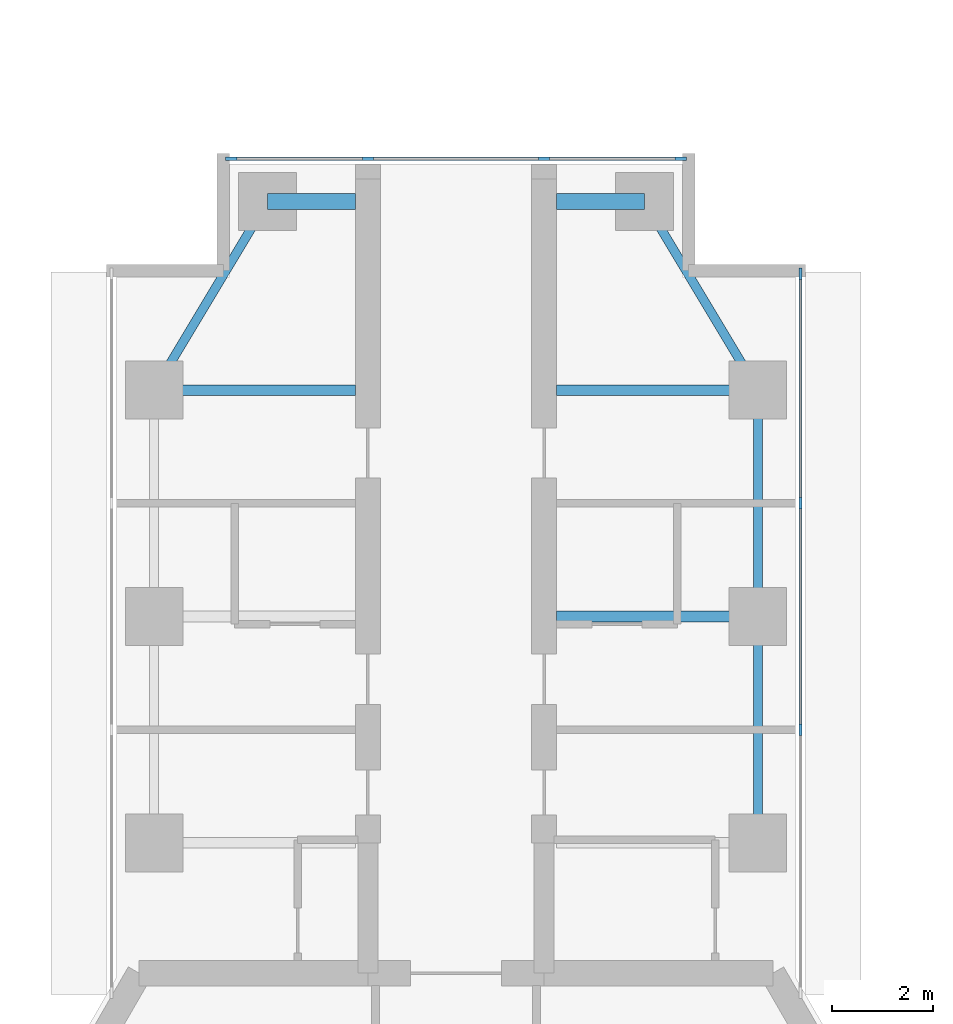
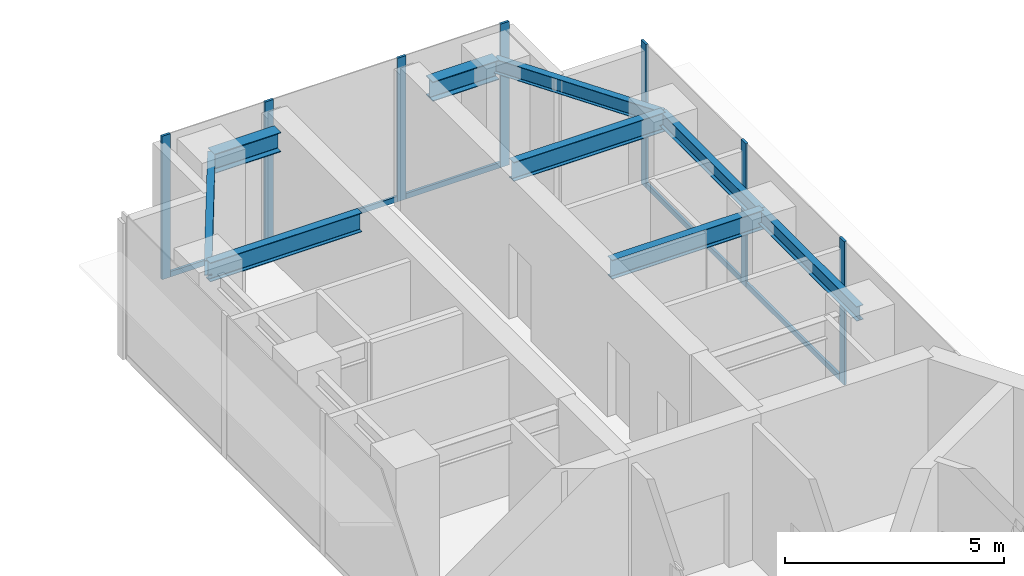
# One storey, part 9 of 17: 12 members, 9 beams, 2 elements without a shape of their own.
"""IFC4 building model written with IfcOpenShell, lengths in metres."""

from ifc_helpers import new_model, si_unit, direction, frame, origin, origin_2d, place, context, subcontext, project, spatial, rectangle, i_section, extrude, material, material_profile, profile_set, type_object, element, aggregate, save


model = new_model("IFC4")

# Units and contexts
model_context = context("Model", 3, precision=1e-05, world=origin(), true_north=direction((0.0, 1.0)))
body_context = subcontext(model_context, "Body", "Model", "MODEL_VIEW")
ifc_project = project(units=[si_unit("LENGTHUNIT", "METRE"), si_unit("AREAUNIT", "SQUARE_METRE"), si_unit("VOLUMEUNIT", "CUBIC_METRE"), si_unit("PLANEANGLEUNIT", "RADIAN"), si_unit("MASSUNIT", "GRAM", prefix="KILO")], contexts=[model_context])

# Site, building, storey
site_placement = place(None, origin())
site = spatial("IfcSite", under=ifc_project, at=site_placement, CompositionType="ELEMENT")
building_placement = place(site_placement, origin())
building = spatial("IfcBuilding", under=site, at=building_placement, Name="Upepo Twin Towers", CompositionType="ELEMENT")
storey_placement = place(building_placement, frame((0.0, 0.0, 202.5)))
storey = spatial("IfcBuildingStorey", under=building, at=storey_placement, Name="L49", CompositionType="ELEMENT", Elevation=202.5)

# Beams
ifc_material_1 = material(Name="Steel S355", Category="steel")
ifc_material_profile_1 = material_profile(ifc_material_1, i_section(OverallWidth=0.177978515625, OverallDepth=0.406494140625, WebThickness=0.0078125, FlangeThickness=0.0126953125, FilletRadius=0.01025390625, at=origin_2d()), Name="UB 406x178x60")
ifc_profile_set_1 = profile_set([ifc_material_profile_1], Name="Steel S355")
beam_type_1 = type_object("IfcBeamType", Name="Beam UB 406x178x60", PredefinedType="BEAM", material=ifc_profile_set_1)
beam_1_placement = place(storey_placement, frame((52.5, 4.5, 3.5966796875), z_axis=(0.514495755428, 0.857492925713, 0.0), x_axis=(-0.857492925713, 0.514495755428, 0.0)))
element("IfcBeam", 1, at=beam_1_placement, inside=storey, type_object=beam_type_1, Name="T2 nose edge beam AL", PredefinedType="BEAM", context=body_context, shape_type="SweptSolid", body=[
    extrude(i_section(OverallWidth=0.177978515625, OverallDepth=0.406494140625, WebThickness=0.0078125, FlangeThickness=0.0126953125, FilletRadius=0.01025390625, at=origin_2d()), origin(), (0.0, 0.0, 1.0), 4.373291015625),
])
for number, where, z_axis, x_axis, name in (
    (2, (64.5, -4.5, 3.5966796875), (0.0, 1.0, 0.0), (-1.0, 0.0, 0.0), "T2 edge beam AR 13.5-18.0"),
    (3, (64.5, 0.0, 3.5966796875), (0.0, 1.0, 0.0), (-1.0, 0.0, 0.0), "T2 edge beam AR 18.0-22.5"),
):
    element("IfcBeam", number, at=place(storey_placement, frame(where, z_axis=z_axis, x_axis=x_axis)), inside=storey, type_object=beam_type_1, Name=name, PredefinedType="BEAM", context=body_context, shape_type="SweptSolid", body=[
        extrude(i_section(OverallWidth=0.177978515625, OverallDepth=0.406494140625, WebThickness=0.0078125, FlangeThickness=0.0126953125, FilletRadius=0.01025390625, at=origin_2d()), origin(), (0.0, 0.0, 1.0), 4.5),
    ])
beam_2_placement = place(storey_placement, frame((64.5, 4.5, 3.5966796875), z_axis=(-0.514495755428, 0.857492925713, 0.0), x_axis=(-0.857492925713, -0.514495755428, 0.0)))
element("IfcBeam", 4, at=beam_2_placement, inside=storey, type_object=beam_type_1, Name="T2 nose edge beam AR", PredefinedType="BEAM", context=body_context, shape_type="SweptSolid", body=[
    extrude(i_section(OverallWidth=0.177978515625, OverallDepth=0.406494140625, WebThickness=0.0078125, FlangeThickness=0.0126953125, FilletRadius=0.01025390625, at=origin_2d()), origin(), (0.0, 0.0, 1.0), 4.373291015625),
])
ifc_material_2 = material(Name="Steel S355", Category="steel")
ifc_material_profile_2 = material_profile(ifc_material_2, i_section(OverallWidth=0.209228515625, OverallDepth=0.533203125, WebThickness=0.010009765625, FlangeThickness=0.015625, FilletRadius=0.0126953125, at=origin_2d()), Name="UB 533x210x92")
ifc_profile_set_2 = profile_set([ifc_material_profile_2], Name="Steel S355")
beam_type_2 = type_object("IfcBeamType", Name="Beam UB 533x210x92", PredefinedType="BEAM", material=ifc_profile_set_2)
for number, where, z_axis, x_axis, name in (
    (5, (52.5, 4.5, 3.533447265625), (1.0, 0.0, 0.0), (0.0, 1.0, 0.0), "T2 girder AL at 22.5"),
    (6, (64.5, 0.0, 3.533447265625), (-1.0, 0.0, 0.0), (0.0, -1.0, 0.0), "T2 girder AR at 18.0"),
    (7, (64.5, 4.5, 3.533447265625), (-1.0, 0.0, 0.0), (0.0, -1.0, 0.0), "T2 girder AR at 22.5"),
):
    element("IfcBeam", number, at=place(storey_placement, frame(where, z_axis=z_axis, x_axis=x_axis)), inside=storey, type_object=beam_type_2, Name=name, PredefinedType="BEAM", context=body_context, shape_type="SweptSolid", body=[
        extrude(i_section(OverallWidth=0.209228515625, OverallDepth=0.533203125, WebThickness=0.010009765625, FlangeThickness=0.015625, FilletRadius=0.0126953125, at=origin_2d()), origin(), (0.0, 0.0, 1.0), 4.0),
    ])
ifc_material_3 = material(Name="Steel S355", Category="steel")
ifc_material_profile_3 = material_profile(ifc_material_3, i_section(OverallWidth=0.31201171875, OverallDepth=0.54345703125, WebThickness=0.0126953125, FlangeThickness=0.020263671875, FilletRadius=0.0126953125, at=origin_2d()), Name="UB 533x312x150")
ifc_profile_set_3 = profile_set([ifc_material_profile_3], Name="Steel S355")
beam_type_3 = type_object("IfcBeamType", Name="Beam UB 533x312x150", PredefinedType="BEAM", material=ifc_profile_set_3)
for number, where, z_axis, x_axis, name in (
    (8, (54.75, 8.25, 3.5283203125), (1.0, 0.0, 0.0), (0.0, 1.0, 0.0), "T2 nose beam AL"),
    (9, (62.25, 8.25, 3.5283203125), (-1.0, 0.0, 0.0), (0.0, -1.0, 0.0), "T2 nose beam AR"),
):
    element("IfcBeam", number, at=place(storey_placement, frame(where, z_axis=z_axis, x_axis=x_axis)), inside=storey, type_object=beam_type_3, Name=name, PredefinedType="BEAM", context=body_context, shape_type="SweptSolid", body=[
        extrude(i_section(OverallWidth=0.31201171875, OverallDepth=0.54345703125, WebThickness=0.0126953125, FlangeThickness=0.020263671875, FilletRadius=0.0126953125, at=origin_2d()), origin(), (0.0, 0.0, 1.0), 1.75),
    ])

# Curtain wall, members
ifc_material_4 = material(Name="Aluminium and fritted glass", Category="aluminium")
curtain_wall_type = type_object("IfcCurtainWallType", Name="Tower curtain wall TW3, fritted glass", PredefinedType="NOTDEFINED", material=ifc_material_4)
curtain_wall_1_placement = place(storey_placement, origin())
curtain_wall_1 = element("IfcCurtainWall", 10, at=curtain_wall_1_placement, inside=storey, type_object=curtain_wall_type, Name="T2 L49 wing A flank R curtain wall", PredefinedType="NOTDEFINED")
ifc_material_5 = material(Name="Aluminium mullion", Category="aluminium")
ifc_material_profile_4 = material_profile(ifc_material_5, rectangle(XDim=0.06494140625, YDim=0.22509765625, at=origin_2d()), Name="MULLION 65x225")
ifc_profile_set_4 = profile_set([ifc_material_profile_4], Name="Aluminium mullion")
member_type_1 = type_object("IfcMemberType", Name="Mullion 65x225 TW3", PredefinedType="MULLION", material=ifc_profile_set_4)
member_1_placement = place(storey_placement, frame((65.35009765625, 6.8173828125, 0.0), z_axis=(0.0, 0.0, 1.0), x_axis=(1.0, 0.0, 0.0)))
member_1 = element("IfcMember", 11, at=member_1_placement, type_object=member_type_1, Name="T2 L49 wing A flank R curtain wall mullion 1", PredefinedType="MULLION", context=body_context, shape_type="SweptSolid", body=[
    extrude(rectangle(XDim=0.06494140625, YDim=0.22509765625, at=origin_2d()), origin(), (0.0, 0.0, 1.0), 4.0),
])
member_2_placement = place(storey_placement, frame((65.35009765625, 2.25, 0.0), z_axis=(0.0, 0.0, 1.0), x_axis=(1.0, 0.0, 0.0)))
member_2 = element("IfcMember", 12, at=member_2_placement, type_object=member_type_1, Name="T2 L49 wing A flank R curtain wall mullion 2", PredefinedType="MULLION", context=body_context, shape_type="SweptSolid", body=[
    extrude(rectangle(XDim=0.06494140625, YDim=0.22509765625, at=origin_2d()), origin(), (0.0, 0.0, 1.0), 4.0),
])
member_3_placement = place(storey_placement, frame((65.35009765625, -2.25, 0.0), z_axis=(0.0, 0.0, 1.0), x_axis=(1.0, 0.0, 0.0)))
member_3 = element("IfcMember", 13, at=member_3_placement, type_object=member_type_1, Name="T2 L49 wing A flank R curtain wall mullion 3", PredefinedType="MULLION", context=body_context, shape_type="SweptSolid", body=[
    extrude(rectangle(XDim=0.06494140625, YDim=0.22509765625, at=origin_2d()), origin(), (0.0, 0.0, 1.0), 4.0),
])

curtain_wall_2_placement = place(storey_placement, origin())
curtain_wall_2 = element("IfcCurtainWall", 14, at=curtain_wall_2_placement, inside=storey, type_object=curtain_wall_type, Name="T2 L49 wing A nose curtain wall", PredefinedType="NOTDEFINED")
member_4_placement = place(storey_placement, frame((62.967529296875, 9.10009765625, 0.0), z_axis=(0.0, 0.0, 1.0), x_axis=(0.0, -1.0, 0.0)))
member_4 = element("IfcMember", 15, at=member_4_placement, type_object=member_type_1, Name="T2 L49 wing A nose curtain wall mullion 1", PredefinedType="MULLION", context=body_context, shape_type="SweptSolid", body=[
    extrude(rectangle(XDim=0.06494140625, YDim=0.22509765625, at=origin_2d()), origin(), (0.0, 0.0, 1.0), 4.0),
])
member_5_placement = place(storey_placement, frame((60.25, 9.10009765625, 0.0), z_axis=(0.0, 0.0, 1.0), x_axis=(0.0, -1.0, 0.0)))
member_5 = element("IfcMember", 16, at=member_5_placement, type_object=member_type_1, Name="T2 L49 wing A nose curtain wall mullion 2", PredefinedType="MULLION", context=body_context, shape_type="SweptSolid", body=[
    extrude(rectangle(XDim=0.06494140625, YDim=0.22509765625, at=origin_2d()), origin(), (0.0, 0.0, 1.0), 4.0),
])
member_6_placement = place(storey_placement, frame((56.75, 9.10009765625, 0.0), z_axis=(0.0, 0.0, 1.0), x_axis=(0.0, -1.0, 0.0)))
member_6 = element("IfcMember", 17, at=member_6_placement, type_object=member_type_1, Name="T2 L49 wing A nose curtain wall mullion 3", PredefinedType="MULLION", context=body_context, shape_type="SweptSolid", body=[
    extrude(rectangle(XDim=0.06494140625, YDim=0.22509765625, at=origin_2d()), origin(), (0.0, 0.0, 1.0), 4.0),
])
member_7_placement = place(storey_placement, frame((54.032470703125, 9.10009765625, 0.0), z_axis=(0.0, 0.0, 1.0), x_axis=(0.0, -1.0, 0.0)))
member_7 = element("IfcMember", 18, at=member_7_placement, type_object=member_type_1, Name="T2 L49 wing A nose curtain wall mullion 4", PredefinedType="MULLION", context=body_context, shape_type="SweptSolid", body=[
    extrude(rectangle(XDim=0.06494140625, YDim=0.22509765625, at=origin_2d()), origin(), (0.0, 0.0, 1.0), 4.0),
])

# Member
ifc_material_6 = material(Name="Aluminium transom", Category="aluminium")
ifc_material_profile_5 = material_profile(ifc_material_6, rectangle(XDim=0.06494140625, YDim=0.14990234375, at=origin_2d()), Name="TRANSOM 65x150")
ifc_profile_set_5 = profile_set([ifc_material_profile_5], Name="Aluminium transom")
member_type_2 = type_object("IfcMemberType", Name="Transom 65x150 TW3", PredefinedType="USERDEFINED", material=ifc_profile_set_5)
member_8_placement = place(storey_placement, frame((65.35009765625, 6.784912109375, 0.074951171875), z_axis=(0.0, -1.0, 0.0), x_axis=(1.0, 0.0, 0.0)))
member_8 = element("IfcMember", 19, at=member_8_placement, type_object=member_type_2, Name="T2 L49 wing A flank R curtain wall transom 1", ObjectType="TRANSOM", PredefinedType="USERDEFINED", context=body_context, shape_type="SweptSolid", body=[
    extrude(rectangle(XDim=0.06494140625, YDim=0.14990234375, at=origin_2d()), origin(), (0.0, 0.0, 1.0), 4.50244140625),
])

member_9_placement = place(storey_placement, frame((65.35009765625, 2.217529296875, 0.074951171875), z_axis=(0.0, -1.0, 0.0), x_axis=(1.0, 0.0, 0.0)))
member_9 = element("IfcMember", 20, at=member_9_placement, type_object=member_type_2, Name="T2 L49 wing A flank R curtain wall transom 2", ObjectType="TRANSOM", PredefinedType="USERDEFINED", context=body_context, shape_type="SweptSolid", body=[
    extrude(rectangle(XDim=0.06494140625, YDim=0.14990234375, at=origin_2d()), origin(), (0.0, 0.0, 1.0), 4.43505859375),
])

aggregate(curtain_wall_1, [member_1, member_2, member_3, member_8, member_9])

member_10_placement = place(storey_placement, frame((62.93505859375, 9.10009765625, 0.074951171875), z_axis=(-1.0, 0.0, 0.0), x_axis=(0.0, -1.0, 0.0)))
member_10 = element("IfcMember", 21, at=member_10_placement, type_object=member_type_2, Name="T2 L49 wing A nose curtain wall transom 1", ObjectType="TRANSOM", PredefinedType="USERDEFINED", context=body_context, shape_type="SweptSolid", body=[
    extrude(rectangle(XDim=0.06494140625, YDim=0.14990234375, at=origin_2d()), origin(), (0.0, 0.0, 1.0), 2.652587890625),
])

member_11_placement = place(storey_placement, frame((60.217529296875, 9.10009765625, 0.074951171875), z_axis=(-1.0, 0.0, 0.0), x_axis=(0.0, -1.0, 0.0)))
member_11 = element("IfcMember", 22, at=member_11_placement, type_object=member_type_2, Name="T2 L49 wing A nose curtain wall transom 2", ObjectType="TRANSOM", PredefinedType="USERDEFINED", context=body_context, shape_type="SweptSolid", body=[
    extrude(rectangle(XDim=0.06494140625, YDim=0.14990234375, at=origin_2d()), origin(), (0.0, 0.0, 1.0), 3.43505859375),
])

member_12_placement = place(storey_placement, frame((56.717529296875, 9.10009765625, 0.074951171875), z_axis=(-1.0, 0.0, 0.0), x_axis=(0.0, -1.0, 0.0)))
member_12 = element("IfcMember", 23, at=member_12_placement, type_object=member_type_2, Name="T2 L49 wing A nose curtain wall transom 3", ObjectType="TRANSOM", PredefinedType="USERDEFINED", context=body_context, shape_type="SweptSolid", body=[
    extrude(rectangle(XDim=0.06494140625, YDim=0.14990234375, at=origin_2d()), origin(), (0.0, 0.0, 1.0), 2.652587890625),
])

aggregate(curtain_wall_2, [member_4, member_5, member_6, member_7, member_10, member_11, member_12])

save(model, "model.ifc")
